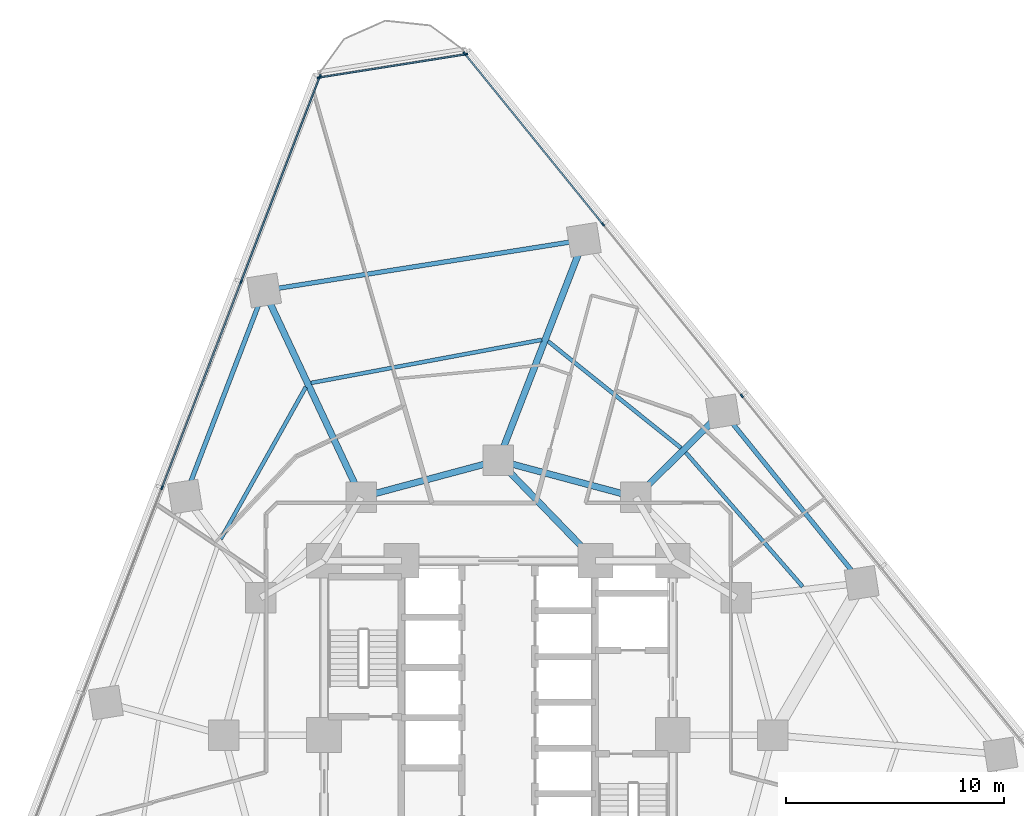
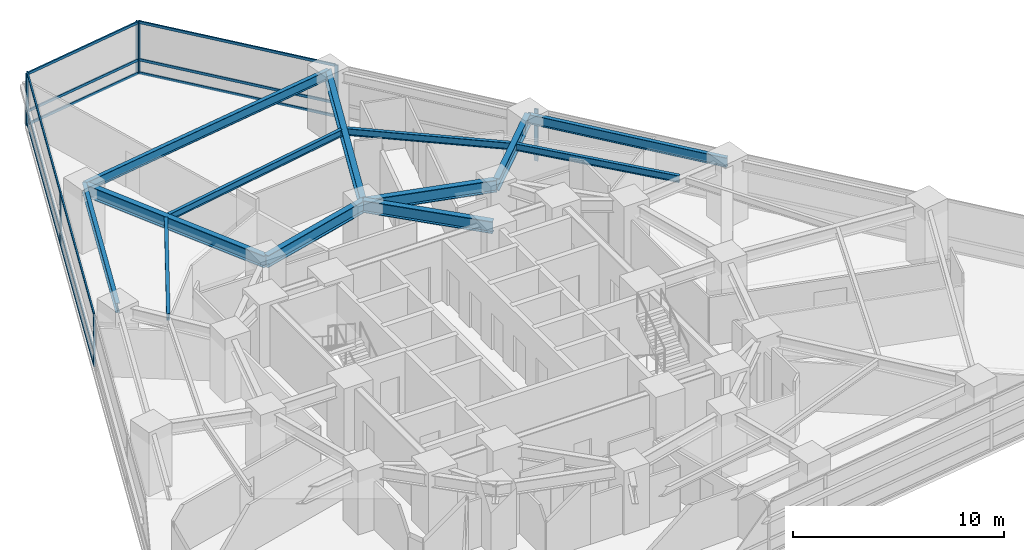
# One storey, part 5 of 13: 20 members, 13 beams, 3 elements without a shape of their own.
"""IFC4 building model written with IfcOpenShell, lengths in metres."""

from ifc_helpers import new_model, si_unit, direction, frame, origin, origin_2d, place, context, subcontext, project, spatial, rectangle, i_section, extrude, material, layer, layer_set, material_profile, profile_set, type_object, element, aggregate, save


model = new_model("IFC4")

# Units and contexts
model_context = context("Model", 3, precision=1e-05, world=origin(), true_north=direction((0.0, 1.0)))
body_context = subcontext(model_context, "Body", "Model", "MODEL_VIEW")
ifc_project = project(units=[si_unit("LENGTHUNIT", "METRE"), si_unit("AREAUNIT", "SQUARE_METRE"), si_unit("VOLUMEUNIT", "CUBIC_METRE"), si_unit("PLANEANGLEUNIT", "RADIAN"), si_unit("MASSUNIT", "GRAM", prefix="KILO")], contexts=[model_context])

# Site, building, storey
site_placement = place(None, origin())
site = spatial("IfcSite", under=ifc_project, at=site_placement, CompositionType="ELEMENT")
building_placement = place(site_placement, origin())
building = spatial("IfcBuilding", under=site, at=building_placement, Name="Terralouvre Media Tower", CompositionType="ELEMENT")
storey_placement = place(building_placement, frame((0.0, 0.0, 59.300048828125)))
storey = spatial("IfcBuildingStorey", under=building, at=storey_placement, Name="L14", CompositionType="ELEMENT", Elevation=59.300048828125)

# Beams
ifc_material_1 = material(Name="Structural steel S355J2", Category="steel")
ifc_material_profile_1 = material_profile(ifc_material_1, i_section(OverallWidth=0.179931640625, OverallDepth=0.39990234375, WebThickness=0.008544921875, FlangeThickness=0.013427734375, at=origin_2d()), Name="IPE 400")
ifc_profile_set_1 = profile_set([ifc_material_profile_1], Name="Structural steel S355J2")
beam_type_1 = type_object("IfcBeamType", Name="Composite Floor Joist J-IPE400 (IPE 400)", PredefinedType="JOIST", material=ifc_profile_set_1)
beam_1_placement = place(storey_placement, frame((13.96044921875, 6.810791015625, 3.300048828125), z_axis=(-0.656991876482, 0.753897655014, 0.0), x_axis=(-0.753897655014, -0.656991876482, 0.0)))
element("IfcBeam", 1, at=beam_1_placement, inside=storey, type_object=beam_type_1, Name="L14 Framing Beam JT-L14-07", PredefinedType="JOIST", context=body_context, shape_type="SweptSolid", body=[
    extrude(i_section(OverallWidth=0.179931640625, OverallDepth=0.39990234375, WebThickness=0.008544921875, FlangeThickness=0.013427734375, at=origin_2d()), origin(), (0.0, 0.0, 1.0), 8.165283203125),
])
beam_2_placement = place(storey_placement, frame((8.380615234375, 13.173583984375, 3.300048828125), z_axis=(-0.779905972593, 0.62589669588, 0.0), x_axis=(-0.62589669588, -0.779905972593, 0.0)))
element("IfcBeam", 2, at=beam_2_placement, inside=storey, type_object=beam_type_1, Name="L14 Framing Beam JT-L14-08", PredefinedType="JOIST", context=body_context, shape_type="SweptSolid", body=[
    extrude(i_section(OverallWidth=0.179931640625, OverallDepth=0.39990234375, WebThickness=0.008544921875, FlangeThickness=0.013427734375, at=origin_2d()), origin(), (0.0, 0.0, 1.0), 7.82470703125),
])
beam_3_placement = place(storey_placement, frame((1.985595703125, 18.13623046875, 3.300048828125), z_axis=(-0.982984181952, -0.183690223017, 0.0), x_axis=(0.183690223017, -0.982984181952, 0.0)))
element("IfcBeam", 3, at=beam_3_placement, inside=storey, type_object=beam_type_1, Name="L14 Framing Beam JT-L14-09", PredefinedType="JOIST", context=body_context, shape_type="SweptSolid", body=[
    extrude(i_section(OverallWidth=0.179931640625, OverallDepth=0.39990234375, WebThickness=0.008544921875, FlangeThickness=0.013427734375, at=origin_2d()), origin(), (0.0, 0.0, 1.0), 10.766845703125),
])
beam_4_placement = place(storey_placement, frame((-8.837646484375, 15.97119140625, 3.300048828125), z_axis=(-0.488342920388, -0.87265181608, 0.0), x_axis=(0.87265181608, -0.488342920388, 0.0)))
element("IfcBeam", 4, at=beam_4_placement, inside=storey, type_object=beam_type_1, Name="L14 Framing Beam JT-L14-10", PredefinedType="JOIST", context=body_context, shape_type="SweptSolid", body=[
    extrude(i_section(OverallWidth=0.179931640625, OverallDepth=0.39990234375, WebThickness=0.008544921875, FlangeThickness=0.013427734375, at=origin_2d()), origin(), (0.0, 0.0, 1.0), 7.992919921875),
])

# Curtain wall, members
ifc_material_2 = material(Name="Low-iron laminated double glazing with solar-control coating", Category="glass")
ifc_layer_1 = layer(ifc_material_2, 0.1650390625, Name="Lower Media Tower Unitised Curtain Wall CW-02")
ifc_layer_set_1 = layer_set([ifc_layer_1], Name="Low-iron laminated double glazing with solar-control coating")
curtain_wall_type_1 = type_object("IfcCurtainWallType", Name="Lower Media Tower Unitised Curtain Wall CW-02", PredefinedType="NOTDEFINED", material=ifc_layer_set_1)
curtain_wall_1_placement = place(storey_placement, origin())
curtain_wall_1 = element("IfcCurtainWall", 5, at=curtain_wall_1_placement, inside=storey, type_object=curtain_wall_type_1, Name="L14 Facade Curtain Wall F1", PredefinedType="NOTDEFINED")
ifc_material_3 = material(Name="Anodised extruded aluminium 6063-T6", Category="aluminium")
ifc_material_profile_2 = material_profile(ifc_material_3, rectangle(XDim=0.074951171875, YDim=0.14990234375, at=origin_2d()), Name="ALU 75x150")
ifc_profile_set_2 = profile_set([ifc_material_profile_2], Name="Anodised extruded aluminium 6063-T6")
member_type_1 = type_object("IfcMemberType", Name="Curtain-Wall Horizontal Transom TR-150", PredefinedType="USERDEFINED", material=ifc_profile_set_2)
member_1_placement = place(storey_placement, frame((4.7763671875, 23.46435546875, 0.037353515625), z_axis=(-0.629312521445, 0.777152334071, 0.0), x_axis=(-0.777152334071, -0.629312521445, 0.0)))
member_1 = element("IfcMember", 6, at=member_1_placement, type_object=member_type_1, Name="CW-02 transom 5.1", ObjectType="TRANSOM", PredefinedType="USERDEFINED", context=body_context, shape_type="SweptSolid", body=[
    extrude(rectangle(XDim=0.074951171875, YDim=0.14990234375, at=origin_2d()), origin(), (0.0, 0.0, 1.0), 10.015625),
])
member_2_placement = place(storey_placement, frame((4.7763671875, 23.46435546875, 0.800048828125), z_axis=(-0.629312521445, 0.777152334071, 0.0), x_axis=(-0.777152334071, -0.629312521445, 0.0)))
member_2 = element("IfcMember", 7, at=member_2_placement, type_object=member_type_1, Name="CW-02 transom 5.2", ObjectType="TRANSOM", PredefinedType="USERDEFINED", context=body_context, shape_type="SweptSolid", body=[
    extrude(rectangle(XDim=0.074951171875, YDim=0.14990234375, at=origin_2d()), origin(), (0.0, 0.0, 1.0), 10.015625),
])
member_3_placement = place(storey_placement, frame((4.7763671875, 23.46435546875, 2.96240234375), z_axis=(-0.629312521445, 0.777152334071, 0.0), x_axis=(-0.777152334071, -0.629312521445, 0.0)))
member_3 = element("IfcMember", 8, at=member_3_placement, type_object=member_type_1, Name="CW-02 transom 5.3", ObjectType="TRANSOM", PredefinedType="USERDEFINED", context=body_context, shape_type="SweptSolid", body=[
    extrude(rectangle(XDim=0.074951171875, YDim=0.14990234375, at=origin_2d()), origin(), (0.0, 0.0, 1.0), 10.015625),
])

curtain_wall_2_placement = place(storey_placement, origin())
curtain_wall_2 = element("IfcCurtainWall", 9, at=curtain_wall_2_placement, inside=storey, type_object=curtain_wall_type_1, Name="L14 Facade Curtain Wall F2", PredefinedType="NOTDEFINED")
member_4_placement = place(storey_placement, frame((-8.2041015625, 30.1904296875, 0.037353515625), z_axis=(-0.358376263354, -0.933577235083, 0.0), x_axis=(0.933577235083, -0.358376263354, 0.0)))
member_4 = element("IfcMember", 10, at=member_4_placement, type_object=member_type_1, Name="CW-02 transom 1.1", ObjectType="TRANSOM", PredefinedType="USERDEFINED", context=body_context, shape_type="SweptSolid", body=[
    extrude(rectangle(XDim=0.074951171875, YDim=0.14990234375, at=origin_2d()), origin(), (0.0, 0.0, 1.0), 10.015625),
])
member_5_placement = place(storey_placement, frame((-8.2041015625, 30.1904296875, 0.800048828125), z_axis=(-0.358376263354, -0.933577235083, 0.0), x_axis=(0.933577235083, -0.358376263354, 0.0)))
member_5 = element("IfcMember", 11, at=member_5_placement, type_object=member_type_1, Name="CW-02 transom 1.2", ObjectType="TRANSOM", PredefinedType="USERDEFINED", context=body_context, shape_type="SweptSolid", body=[
    extrude(rectangle(XDim=0.074951171875, YDim=0.14990234375, at=origin_2d()), origin(), (0.0, 0.0, 1.0), 10.015625),
])
member_6_placement = place(storey_placement, frame((-8.2041015625, 30.1904296875, 2.96240234375), z_axis=(-0.358376263354, -0.933577235083, 0.0), x_axis=(0.933577235083, -0.358376263354, 0.0)))
member_6 = element("IfcMember", 12, at=member_6_placement, type_object=member_type_1, Name="CW-02 transom 1.3", ObjectType="TRANSOM", PredefinedType="USERDEFINED", context=body_context, shape_type="SweptSolid", body=[
    extrude(rectangle(XDim=0.074951171875, YDim=0.14990234375, at=origin_2d()), origin(), (0.0, 0.0, 1.0), 10.015625),
])
member_7_placement = place(storey_placement, frame((-11.8203125, 20.77001953125, 0.037353515625), z_axis=(-0.358357340084, -0.933584499019, 0.0), x_axis=(0.933584499019, -0.358357340084, 0.0)))
member_7 = element("IfcMember", 13, at=member_7_placement, type_object=member_type_1, Name="CW-02 transom 2.1", ObjectType="TRANSOM", PredefinedType="USERDEFINED", context=body_context, shape_type="SweptSolid", body=[
    extrude(rectangle(XDim=0.074951171875, YDim=0.14990234375, at=origin_2d()), origin(), (0.0, 0.0, 1.0), 10.052978515625),
])
member_8_placement = place(storey_placement, frame((-11.8203125, 20.77001953125, 0.800048828125), z_axis=(-0.358357340084, -0.933584499019, 0.0), x_axis=(0.933584499019, -0.358357340084, 0.0)))
member_8 = element("IfcMember", 14, at=member_8_placement, type_object=member_type_1, Name="CW-02 transom 2.2", ObjectType="TRANSOM", PredefinedType="USERDEFINED", context=body_context, shape_type="SweptSolid", body=[
    extrude(rectangle(XDim=0.074951171875, YDim=0.14990234375, at=origin_2d()), origin(), (0.0, 0.0, 1.0), 10.052978515625),
])
member_9_placement = place(storey_placement, frame((-11.8203125, 20.77001953125, 2.96240234375), z_axis=(-0.358357340084, -0.933584499019, 0.0), x_axis=(0.933584499019, -0.358357340084, 0.0)))
member_9 = element("IfcMember", 15, at=member_9_placement, type_object=member_type_1, Name="CW-02 transom 2.3", ObjectType="TRANSOM", PredefinedType="USERDEFINED", context=body_context, shape_type="SweptSolid", body=[
    extrude(rectangle(XDim=0.074951171875, YDim=0.14990234375, at=origin_2d()), origin(), (0.0, 0.0, 1.0), 10.052978515625),
])

ifc_material_4 = material(Name="Low-iron laminated double glazing with solar-control coating", Category="glass")
ifc_layer_2 = layer(ifc_material_4, 0.1650390625, Name="Rounded Wind-Corner Curved Glazing CW-04")
ifc_layer_set_2 = layer_set([ifc_layer_2], Name="Low-iron laminated double glazing with solar-control coating")
curtain_wall_type_2 = type_object("IfcCurtainWallType", Name="Rounded Wind-Corner Curved Glazing CW-04", PredefinedType="NOTDEFINED", material=ifc_layer_set_2)
curtain_wall_3_placement = place(storey_placement, origin())
curtain_wall_3 = element("IfcCurtainWall", 16, at=curtain_wall_3_placement, inside=storey, type_object=curtain_wall_type_2, Name="L14 Rounded Wind-Corner Curtain Wall C2", PredefinedType="NOTDEFINED")
member_10_placement = place(storey_placement, frame((-1.53271484375, 31.231689453125, 0.037353515625), z_axis=(-0.987688588398, -0.156432900464, 0.0), x_axis=(0.156432900464, -0.987688588398, 0.0)))
member_10 = element("IfcMember", 17, at=member_10_placement, type_object=member_type_1, Name="CW-04 transom 1.1", ObjectType="TRANSOM", PredefinedType="USERDEFINED", context=body_context, shape_type="SweptSolid", body=[
    extrude(rectangle(XDim=0.074951171875, YDim=0.14990234375, at=origin_2d()), origin(), (0.0, 0.0, 1.0), 6.74365234375),
])
member_11_placement = place(storey_placement, frame((-1.53271484375, 31.231689453125, 0.800048828125), z_axis=(-0.987688588398, -0.156432900464, 0.0), x_axis=(0.156432900464, -0.987688588398, 0.0)))
member_11 = element("IfcMember", 18, at=member_11_placement, type_object=member_type_1, Name="CW-04 transom 1.2", ObjectType="TRANSOM", PredefinedType="USERDEFINED", context=body_context, shape_type="SweptSolid", body=[
    extrude(rectangle(XDim=0.074951171875, YDim=0.14990234375, at=origin_2d()), origin(), (0.0, 0.0, 1.0), 6.74365234375),
])
member_12_placement = place(storey_placement, frame((-1.53271484375, 31.231689453125, 2.96240234375), z_axis=(-0.987688588398, -0.156432900464, 0.0), x_axis=(0.156432900464, -0.987688588398, 0.0)))
member_12 = element("IfcMember", 19, at=member_12_placement, type_object=member_type_1, Name="CW-04 transom 1.3", ObjectType="TRANSOM", PredefinedType="USERDEFINED", context=body_context, shape_type="SweptSolid", body=[
    extrude(rectangle(XDim=0.074951171875, YDim=0.14990234375, at=origin_2d()), origin(), (0.0, 0.0, 1.0), 6.74365234375),
])

# Member
ifc_material_5 = material(Name="Anodised extruded aluminium 6063-T6", Category="aluminium")
ifc_material_profile_3 = material_profile(ifc_material_5, rectangle(XDim=0.074951171875, YDim=0.179931640625, at=origin_2d()), Name="ALU 75x180")
ifc_profile_set_3 = profile_set([ifc_material_profile_3], Name="Anodised extruded aluminium 6063-T6")
member_type_2 = type_object("IfcMemberType", Name="Curtain-Wall Vertical Mullion ML-180", PredefinedType="MULLION", material=ifc_profile_set_3)
member_13_placement = place(storey_placement, frame((11.173583984375, 15.564453125, 0.0), z_axis=(0.0, 0.0, 1.0), x_axis=(-0.777145994276, -0.629320350521, 0.0)))
member_13 = element("IfcMember", 20, at=member_13_placement, type_object=member_type_2, Name="CW-02 mullion 4", PredefinedType="MULLION", context=body_context, shape_type="SweptSolid", body=[
    extrude(rectangle(XDim=0.074951171875, YDim=0.179931640625, at=origin_2d()), origin(), (0.0, 0.0, 1.0), 3.0),
])

member_14_placement = place(storey_placement, frame((4.7998046875, 23.435302734375, 0.0), z_axis=(0.0, 0.0, 1.0), x_axis=(-0.777145994276, -0.629320350521, 0.0)))
member_14 = element("IfcMember", 21, at=member_14_placement, type_object=member_type_2, Name="CW-02 mullion 5", PredefinedType="MULLION", context=body_context, shape_type="SweptSolid", body=[
    extrude(rectangle(XDim=0.074951171875, YDim=0.179931640625, at=origin_2d()), origin(), (0.0, 0.0, 1.0), 3.0),
])

member_15_placement = place(storey_placement, frame((-1.55029296875, 31.277099609375, 0.0), z_axis=(0.0, 0.0, 1.0), x_axis=(-0.777145994276, -0.629320350521, 0.0)))
member_15 = element("IfcMember", 22, at=member_15_placement, type_object=member_type_2, Name="CW-02 mullion 6", PredefinedType="MULLION", context=body_context, shape_type="SweptSolid", body=[
    extrude(rectangle(XDim=0.074951171875, YDim=0.179931640625, at=origin_2d()), origin(), (0.0, 0.0, 1.0), 3.0),
])

aggregate(curtain_wall_1, [member_13, member_14, member_15, member_1, member_2, member_3])

member_16_placement = place(storey_placement, frame((-8.190673828125, 30.225341796875, 0.0), z_axis=(0.0, 0.0, 1.0), x_axis=(0.933580438988, -0.358367917006, 0.0)))
member_16 = element("IfcMember", 23, at=member_16_placement, type_object=member_type_2, Name="CW-02 mullion 1", PredefinedType="MULLION", context=body_context, shape_type="SweptSolid", body=[
    extrude(rectangle(XDim=0.074951171875, YDim=0.179931640625, at=origin_2d()), origin(), (0.0, 0.0, 1.0), 3.0),
])

member_17_placement = place(storey_placement, frame((-11.806884765625, 20.80517578125, 0.0), z_axis=(0.0, 0.0, 1.0), x_axis=(0.933580438988, -0.358367917006, 0.0)))
member_17 = element("IfcMember", 24, at=member_17_placement, type_object=member_type_2, Name="CW-02 mullion 2", PredefinedType="MULLION", context=body_context, shape_type="SweptSolid", body=[
    extrude(rectangle(XDim=0.074951171875, YDim=0.179931640625, at=origin_2d()), origin(), (0.0, 0.0, 1.0), 3.0),
])

member_18_placement = place(storey_placement, frame((-15.436279296875, 11.349853515625, 0.0), z_axis=(0.0, 0.0, 1.0), x_axis=(0.933580438988, -0.358367917006, 0.0)))
member_18 = element("IfcMember", 25, at=member_18_placement, type_object=member_type_2, Name="CW-02 mullion 3", PredefinedType="MULLION", context=body_context, shape_type="SweptSolid", body=[
    extrude(rectangle(XDim=0.074951171875, YDim=0.179931640625, at=origin_2d()), origin(), (0.0, 0.0, 1.0), 3.0),
])

aggregate(curtain_wall_2, [member_16, member_17, member_18, member_4, member_5, member_6, member_7, member_8, member_9])

member_19_placement = place(storey_placement, frame((-1.495849609375, 31.237548828125, 0.0), z_axis=(0.0, 0.0, 1.0), x_axis=(0.156434386502, -0.987688353034, 0.0)))
member_19 = element("IfcMember", 26, at=member_19_placement, type_object=member_type_2, Name="CW-04 mullion 1", PredefinedType="MULLION", context=body_context, shape_type="SweptSolid", body=[
    extrude(rectangle(XDim=0.074951171875, YDim=0.179931640625, at=origin_2d()), origin(), (0.0, 0.0, 1.0), 3.0),
])

member_20_placement = place(storey_placement, frame((-8.23046875, 30.1708984375, 0.0), z_axis=(0.0, 0.0, 1.0), x_axis=(0.156434386502, -0.987688353034, 0.0)))
member_20 = element("IfcMember", 27, at=member_20_placement, type_object=member_type_2, Name="CW-04 mullion 2", PredefinedType="MULLION", context=body_context, shape_type="SweptSolid", body=[
    extrude(rectangle(XDim=0.074951171875, YDim=0.179931640625, at=origin_2d()), origin(), (0.0, 0.0, 1.0), 3.0),
])

aggregate(curtain_wall_3, [member_19, member_20, member_10, member_11, member_12])

# Beams
ifc_material_6 = material(Name="Structural steel S355J2", Category="steel")
ifc_material_profile_4 = material_profile(ifc_material_6, i_section(OverallWidth=0.2099609375, OverallDepth=0.550048828125, WebThickness=0.010986328125, FlangeThickness=0.01708984375, at=origin_2d()), Name="IPE 550")
ifc_profile_set_4 = profile_set([ifc_material_profile_4], Name="Structural steel S355J2")
beam_type_2 = type_object("IfcBeamType", Name="Perimeter Spandrel Beam SPB-550 (IPE 550)", PredefinedType="SPANDREL", material=ifc_profile_set_4)
beam_5_placement = place(storey_placement, frame((16.669189453125, 6.982421875, 3.21484375), z_axis=(-0.629325814949, 0.777141569239, 0.0), x_axis=(-0.777141569239, -0.629325814949, 0.0)))
element("IfcBeam", 28, at=beam_5_placement, inside=storey, type_object=beam_type_2, Name="L14 Framing Beam BM-L14-PR07", PredefinedType="SPANDREL", context=body_context, shape_type="SweptSolid", body=[
    extrude(i_section(OverallWidth=0.2099609375, OverallDepth=0.550048828125, WebThickness=0.010986328125, FlangeThickness=0.01708984375, at=origin_2d()), origin(), (0.0, 0.0, 1.0), 10.1279296875),
])
beam_6_placement = place(storey_placement, frame((3.921630859375, 22.72412109375, 3.224853515625), z_axis=(-0.98768930547, -0.156428372939, 0.0), x_axis=(0.156428372939, -0.98768930547, 0.0)))
element("IfcBeam", 29, at=beam_6_placement, inside=storey, type_object=beam_type_2, Name="L14 Framing Beam BM-L14-PR09", PredefinedType="SPANDREL", context=body_context, shape_type="SweptSolid", body=[
    extrude(i_section(OverallWidth=0.2099609375, OverallDepth=0.550048828125, WebThickness=0.010986328125, FlangeThickness=0.01708984375, at=origin_2d()), origin(), (0.0, 0.0, 1.0), 14.8564453125),
])
beam_7_placement = place(storey_placement, frame((-10.751953125, 20.400146484375, 3.224853515625), z_axis=(-0.358353868481, -0.933585831589, 0.0), x_axis=(0.933585831589, -0.358353868481, 0.0)))
element("IfcBeam", 30, at=beam_7_placement, inside=storey, type_object=beam_type_2, Name="L14 Framing Beam BM-L14-PR10", PredefinedType="SPANDREL", context=body_context, shape_type="SweptSolid", body=[
    extrude(i_section(OverallWidth=0.2099609375, OverallDepth=0.550048828125, WebThickness=0.010986328125, FlangeThickness=0.01708984375, at=origin_2d()), origin(), (0.0, 0.0, 1.0), 10.1279296875),
])
ifc_material_7 = material(Name="Structural steel S460M", Category="steel")
ifc_material_profile_5 = material_profile(ifc_material_7, i_section(OverallWidth=0.300048828125, OverallDepth=0.699951171875, WebThickness=0.01708984375, FlangeThickness=0.031982421875, at=origin_2d()), Name="HEB 700")
ifc_profile_set_5 = profile_set([ifc_material_profile_5], Name="Structural steel S460M")
beam_type_3 = type_object("IfcBeamType", Name="Primary Floor Girder B-HEB700 (HEB 700)", PredefinedType="BEAM", material=ifc_profile_set_5)
for number, where, z_axis, x_axis, name in (
    (31, (6.300048828125, 10.911865234375, 3.14990234375), (-0.965920481897, 0.258838989821, 0.0), (-0.258838989821, -0.965920481897, 0.0), "L14 Framing Beam BM-L14-MR08"),
    (32, (0.0, 12.60009765625, 3.14990234375), (-0.965920481897, -0.258838989821, 0.0), (0.258838989821, -0.965920481897, 0.0), "L14 Framing Beam BM-L14-MR09"),
):
    element("IfcBeam", number, at=place(storey_placement, frame(where, z_axis=z_axis, x_axis=x_axis)), inside=storey, type_object=beam_type_3, Name=name, PredefinedType="BEAM", context=body_context, shape_type="SweptSolid", body=[
        extrude(i_section(OverallWidth=0.300048828125, OverallDepth=0.699951171875, WebThickness=0.01708984375, FlangeThickness=0.031982421875, at=origin_2d()), origin(), (0.0, 0.0, 1.0), 6.522216796875),
    ])
beam_8_placement = place(storey_placement, frame((4.449951171875, 8.0, 3.14990234375), z_axis=(-0.695279715726, 0.718739255155, 0.0), x_axis=(-0.718739255155, -0.695279715726, 0.0)))
element("IfcBeam", 33, at=beam_8_placement, inside=storey, type_object=beam_type_3, Name="L14 Framing Beam BM-L14-CM09", PredefinedType="BEAM", context=body_context, shape_type="SweptSolid", body=[
    extrude(i_section(OverallWidth=0.300048828125, OverallDepth=0.699951171875, WebThickness=0.01708984375, FlangeThickness=0.031982421875, at=origin_2d()), origin(), (0.0, 0.0, 1.0), 6.400146484375),
])
beam_9_placement = place(storey_placement, frame((6.300048828125, 10.911865234375, 3.14990234375), z_axis=(0.711897326367, 0.702283558623, 0.0), x_axis=(-0.702283558623, 0.711897326367, 0.0)))
element("IfcBeam", 34, at=beam_9_placement, inside=storey, type_object=beam_type_3, Name="L14 Framing Beam BM-L14-RD08", PredefinedType="BEAM", context=body_context, shape_type="SweptSolid", body=[
    extrude(i_section(OverallWidth=0.300048828125, OverallDepth=0.699951171875, WebThickness=0.01708984375, FlangeThickness=0.031982421875, at=origin_2d()), origin(), (0.0, 0.0, 1.0), 5.6123046875),
])
beam_10_placement = place(storey_placement, frame((0.0, 12.60009765625, 3.14990234375), z_axis=(0.361206690819, 0.93248577818, 0.0), x_axis=(-0.93248577818, 0.361206690819, 0.0)))
element("IfcBeam", 35, at=beam_10_placement, inside=storey, type_object=beam_type_3, Name="L14 Framing Beam BM-L14-RD09", PredefinedType="BEAM", context=body_context, shape_type="SweptSolid", body=[
    extrude(i_section(OverallWidth=0.300048828125, OverallDepth=0.699951171875, WebThickness=0.01708984375, FlangeThickness=0.031982421875, at=origin_2d()), origin(), (0.0, 0.0, 1.0), 10.85693359375),
])
beam_11_placement = place(storey_placement, frame((-6.300048828125, 10.911865234375, 3.14990234375), z_axis=(-0.42476805902, 0.905302212544, 0.0), x_axis=(-0.905302212544, -0.42476805902, 0.0)))
element("IfcBeam", 36, at=beam_11_placement, inside=storey, type_object=beam_type_3, Name="L14 Framing Beam BM-L14-RD10", PredefinedType="BEAM", context=body_context, shape_type="SweptSolid", body=[
    extrude(i_section(OverallWidth=0.300048828125, OverallDepth=0.699951171875, WebThickness=0.01708984375, FlangeThickness=0.031982421875, at=origin_2d()), origin(), (0.0, 0.0, 1.0), 10.480712890625),
])

save(model, "model.ifc")
